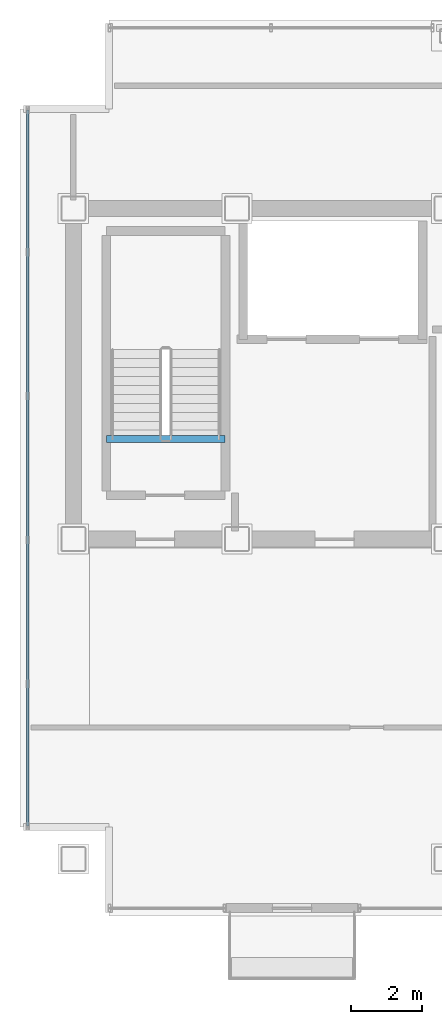
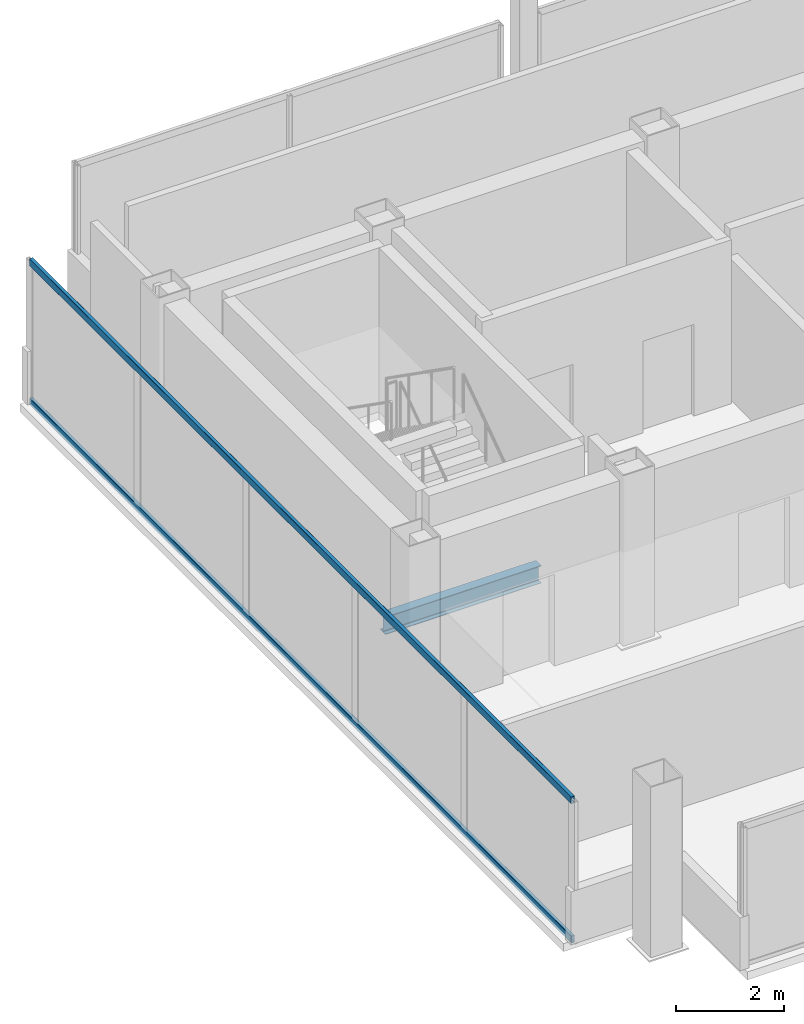
# One storey, part 5 of 17: 2 members, 1 beam, 1 element without a shape of its own.
"""IFC4 building model written with IfcOpenShell, lengths in metres."""

from ifc_helpers import new_model, si_unit, direction, frame, origin, origin_2d, place, context, subcontext, project, spatial, hollow_rectangle, i_section, extrude, material, material_profile, profile_set, type_object, element, aggregate, save


model = new_model("IFC4")

# Units and contexts
model_context = context("Model", 3, precision=1e-05, world=origin(), true_north=direction((0.0, 1.0)))
body_context = subcontext(model_context, "Body", "Model", "MODEL_VIEW")
ifc_project = project(units=[si_unit("LENGTHUNIT", "METRE"), si_unit("AREAUNIT", "SQUARE_METRE"), si_unit("VOLUMEUNIT", "CUBIC_METRE"), si_unit("PLANEANGLEUNIT", "RADIAN"), si_unit("MASSUNIT", "GRAM", prefix="KILO")], contexts=[model_context])

# Site, building, storey
site_placement = place(None, origin())
site = spatial("IfcSite", under=ifc_project, at=site_placement, CompositionType="ELEMENT")
building_placement = place(site_placement, origin())
building = spatial("IfcBuilding", under=site, at=building_placement, Name="Noeulbin Bourse Tower", CompositionType="ELEMENT")
storey_placement = place(building_placement, frame((0.0, 0.0, 285.199951171875)))
storey = spatial("IfcBuildingStorey", under=building, at=storey_placement, Name="L71", CompositionType="ELEMENT", Elevation=285.199951171875)

# Beam
ifc_material_1 = material(Name="Steel S355", Category="steel")
ifc_material_profile_1 = material_profile(ifc_material_1, i_section(OverallWidth=0.199951171875, OverallDepth=0.39990234375, WebThickness=0.008056640625, FlangeThickness=0.012939453125, FilletRadius=0.01611328125, at=origin_2d()), Name="H-400x200x8x13", Category="LoadBearing")
ifc_profile_set_1 = profile_set([ifc_material_profile_1], Name="Steel S355")
beam_type = type_object("IfcBeamType", Name="BM-SEC-400", PredefinedType="BEAM", material=ifc_profile_set_1)
beam_placement = place(storey_placement, frame((14.429931640625, 31.820068359375, -0.199951171875), z_axis=(1.0, 0.0, 0.0), x_axis=(0.0, 1.0, 0.0)))
element("IfcBeam", 1, at=beam_placement, inside=storey, type_object=beam_type, Name="Stair Threshold Trimmer Beam ST1-L71", PredefinedType="BEAM", context=body_context, shape_type="SweptSolid", body=[
    extrude(i_section(OverallWidth=0.199951171875, OverallDepth=0.39990234375, WebThickness=0.008056640625, FlangeThickness=0.012939453125, FilletRadius=0.01611328125, at=origin_2d()), origin(), (0.0, 0.0, 1.0), 3.340087890625),
])

# Curtain wall, members
ifc_material_2 = material(Name="High-Selectivity Low-Iron Glazing", Category="glass")
curtain_wall_type = type_object("IfcCurtainWallType", Name="CW-SYS-4", PredefinedType="NOTDEFINED", material=ifc_material_2)
curtain_wall_placement = place(storey_placement, origin())
curtain_wall = element("IfcCurtainWall", 2, at=curtain_wall_placement, inside=storey, type_object=curtain_wall_type, Name="Unitised Curtain Wall CW-L71-W", PredefinedType="NOTDEFINED")
ifc_material_3 = material(Name="Anodised Aluminium 6063-T6", Category="aluminium")
ifc_material_profile_2 = material_profile(ifc_material_3, hollow_rectangle(XDim=0.074951171875, YDim=0.159912109375, WallThickness=0.0048828125, InnerFilletRadius=0.00244140625, OuterFilletRadius=0.0048828125, at=origin_2d()), Name="ALU-TRAN-75x160x5", Category="LoadBearing")
ifc_profile_set_2 = profile_set([ifc_material_profile_2], Name="Anodised Aluminium 6063-T6")
member_type = type_object("IfcMemberType", Name="CW-SYS-4-TRN", PredefinedType="USERDEFINED", material=ifc_profile_set_2)
member_1_placement = place(storey_placement, frame((12.219970703125, 20.929931640625, 0.010009765625), z_axis=(0.0, 1.0, 0.0), x_axis=(-1.0, 0.0, 0.0)))
member_1 = element("IfcMember", 3, at=member_1_placement, type_object=member_type, Name="Curtain Wall Transom CW-L71-W-T00", ObjectType="TRANSOM", PredefinedType="USERDEFINED", context=body_context, shape_type="SweptSolid", body=[
    extrude(hollow_rectangle(XDim=0.074951171875, YDim=0.159912109375, WallThickness=0.0048828125, InnerFilletRadius=0.00244140625, OuterFilletRadius=0.0048828125, at=origin_2d()), origin(), (0.0, 0.0, 1.0), 20.14013671875),
])
member_2_placement = place(storey_placement, frame((12.219970703125, 20.929931640625, 3.170166015625), z_axis=(0.0, 1.0, 0.0), x_axis=(-1.0, 0.0, 0.0)))
member_2 = element("IfcMember", 4, at=member_2_placement, type_object=member_type, Name="Curtain Wall Transom CW-L71-W-T01", ObjectType="TRANSOM", PredefinedType="USERDEFINED", context=body_context, shape_type="SweptSolid", body=[
    extrude(hollow_rectangle(XDim=0.074951171875, YDim=0.159912109375, WallThickness=0.0048828125, InnerFilletRadius=0.00244140625, OuterFilletRadius=0.0048828125, at=origin_2d()), origin(), (0.0, 0.0, 1.0), 20.14013671875),
])
aggregate(curtain_wall, [member_1, member_2])

save(model, "model.ifc")
